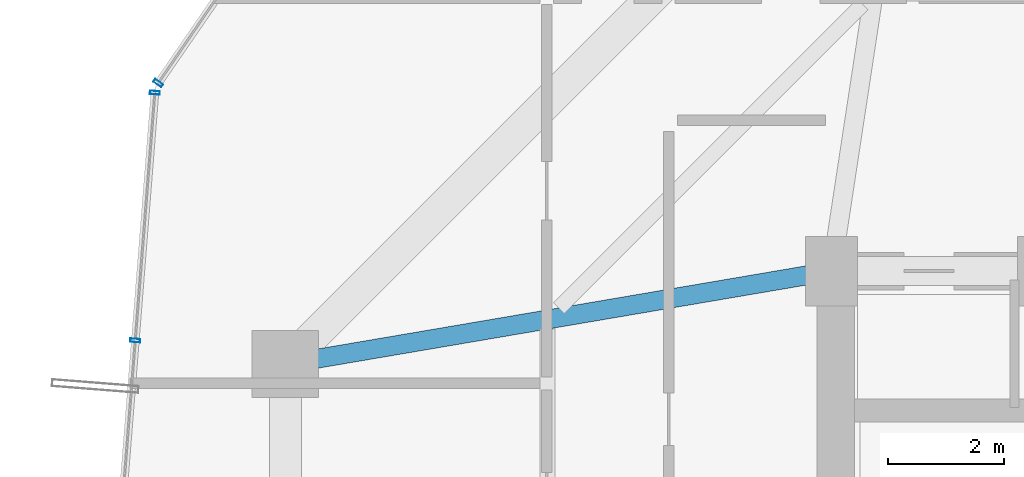
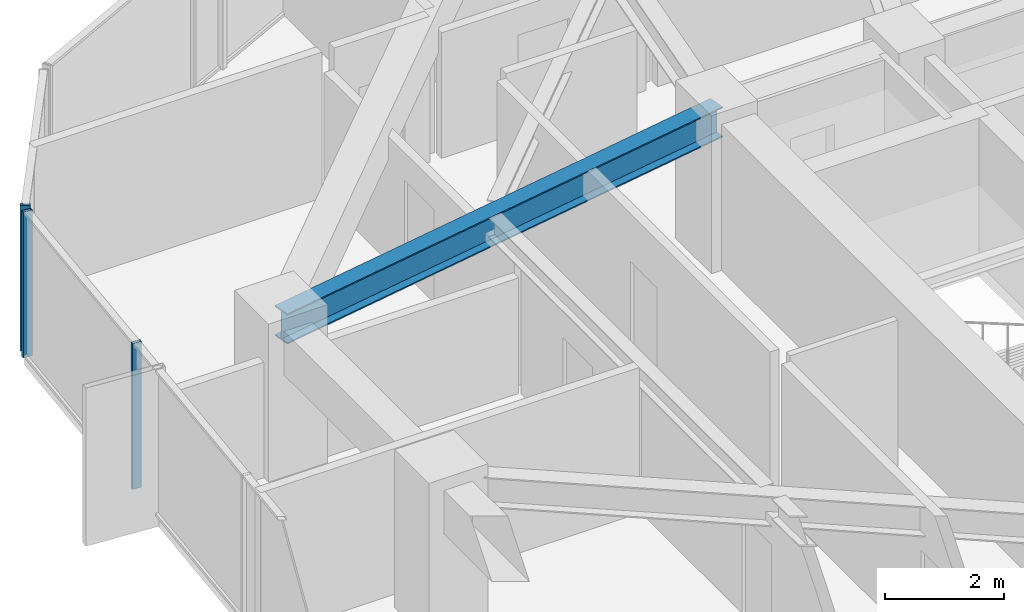
# One storey, part 10 of 30: 3 members, 1 beam, 2 elements without a shape of their own.
"""IFC4 building model written with IfcOpenShell, lengths in metres."""

import ifcopenshell
import ifcopenshell.guid

model = None  # the IFC model being written
_history = None  # IfcOwnerHistory: only IFC2X3 demands one
_inside = {}  # id of a spatial element -> (the spatial element, [elements in it])
_under = {}  # id of a project, library or spatial element -> (it, [spatial elements below it])
_declared = {}  # id of a project -> (the project, [libraries it declares])
_typed = {}  # id of a type object -> (the type object, [elements of that type])
_made_of = {}  # id of a material, layer set ... -> (it, [elements and type objects made of it])


def new_model(schema):
    """Start an empty IFC model of exactly this schema.

    Asked for "IFC4X3", IfcOpenShell would pick the latest addendum, in which some entities
    have other attributes; the version numbers below select the first issue.
    IFC2X3 requires an IfcOwnerHistory on every rooted entity: one is made here for all.
    """
    global model, _history
    if schema == "IFC4X3":
        model = ifcopenshell.file(schema_version=(4, 3, 0, 0))
    else:
        model = ifcopenshell.file(schema=schema)
    _inside.clear()
    _under.clear()
    _declared.clear()
    _typed.clear()
    _made_of.clear()
    _history = None
    if model.schema == "IFC2X3":
        org = make("IfcOrganization", Name="unknown")
        user = make(
            "IfcPersonAndOrganization",
            ThePerson=make("IfcPerson", FamilyName="unknown"),
            TheOrganization=org,
        )
        app = make(
            "IfcApplication",
            ApplicationDeveloper=org,
            Version="unknown",
            ApplicationFullName="unknown",
            ApplicationIdentifier="unknown",
        )
        _history = make(
            "IfcOwnerHistory",
            OwningUser=user,
            OwningApplication=app,
            ChangeAction="ADDED",
            CreationDate=0,
        )
    return model


def make(cls, **values):
    """One entity of the class cls with the attributes given. An attribute that is None is left unset."""
    return model.create_entity(
        cls, **{name: value for name, value in values.items() if value is not None}
    )


def rooted(cls, **values):
    """An entity with a GlobalId (a new one), such as an element, a storey or a relation."""
    return make(cls, GlobalId=ifcopenshell.guid.new(), OwnerHistory=_history, **values)


def si_unit(unit_type, name, prefix=None):
    """IfcSIUnit, for example si_unit("LENGTHUNIT", "METRE", prefix="MILLI")."""
    return make("IfcSIUnit", UnitType=unit_type, Prefix=prefix, Name=name)


def assignment(units):
    """IfcUnitAssignment: the units of a project."""
    return None if units is None else make("IfcUnitAssignment", Units=units)


def point(xyz):
    """IfcCartesianPoint."""
    return None if xyz is None else make("IfcCartesianPoint", Coordinates=xyz)


def direction(xyz):
    """IfcDirection."""
    return None if xyz is None else make("IfcDirection", DirectionRatios=xyz)


def frame(location, z_axis=None, x_axis=None):
    """IfcAxis2Placement3D, a coordinate frame: its origin and axes. An axis left out is left unset."""
    return make(
        "IfcAxis2Placement3D",
        Location=point(location),
        Axis=direction(z_axis),
        RefDirection=direction(x_axis),
    )


def frame_2d(location, x_axis=None):
    """IfcAxis2Placement2D, a coordinate frame in the plane: its origin and x axis."""
    return make(
        "IfcAxis2Placement2D", Location=point(location), RefDirection=direction(x_axis)
    )


def origin():
    """The frame at (0, 0, 0) with its axes left unset."""
    return frame((0.0, 0.0, 0.0))


def origin_2d():
    """The frame at (0, 0) in the plane with its x axis left unset."""
    return frame_2d((0.0, 0.0))


def place(relative_to, where):
    """IfcLocalPlacement: puts the frame where relative to a parent placement (None: the world)."""
    return make(
        "IfcLocalPlacement", PlacementRelTo=relative_to, RelativePlacement=where
    )


def context(
    kind, dimensions, precision=None, world=None, true_north=None, identifier=None
):
    """IfcGeometricRepresentationContext, for example the 3D "Model" context."""
    return make(
        "IfcGeometricRepresentationContext",
        ContextIdentifier=identifier,
        ContextType=kind,
        CoordinateSpaceDimension=dimensions,
        Precision=precision,
        WorldCoordinateSystem=world,
        TrueNorth=true_north,
    )


def subcontext(parent, identifier, kind, view, scale=None):
    """IfcGeometricRepresentationSubContext, for example "Body" below "Model"."""
    return make(
        "IfcGeometricRepresentationSubContext",
        ContextIdentifier=identifier,
        ContextType=kind,
        ParentContext=parent,
        TargetScale=scale,
        TargetView=view,
    )


def project(units=None, contexts=None):
    """IfcProject with its units and contexts."""
    return rooted(
        "IfcProject",
        Name="project",
        RepresentationContexts=contexts,
        UnitsInContext=assignment(units),
    )


def spatial(cls, under=None, at=None, **own):
    """A site, building, storey or space (cls), placed at a placement, below another one or the project."""
    s = rooted(cls, ObjectPlacement=at, **own)
    if under is not None:
        _under.setdefault(under.id(), (under, []))[1].append(s)
    return s


def profile(cls, at=None, kind="AREA", **sizes):
    """A parametric profile (cls). Its sizes go by their IFC names, for example OverallWidth=200.0."""
    return make(cls, ProfileType=kind, Position=at, **sizes)


def hollow_rectangle(**sizes):
    """IfcRectangleHollowProfileDef."""
    return profile("IfcRectangleHollowProfileDef", **sizes)


def i_section(**sizes):
    """IfcIShapeProfileDef."""
    return profile("IfcIShapeProfileDef", **sizes)


def extrude(swept, where, along, depth):
    """IfcExtrudedAreaSolid: the profile swept, set in the frame where, extruded along a direction by depth."""
    return make(
        "IfcExtrudedAreaSolid",
        SweptArea=swept,
        Position=where,
        ExtrudedDirection=direction(along),
        Depth=depth,
    )


def shape(context_of_items, identifier, shape_type, items):
    """IfcShapeRepresentation: the items that make up one representation, for example the "Body"."""
    return make(
        "IfcShapeRepresentation",
        ContextOfItems=context_of_items,
        RepresentationIdentifier=identifier,
        RepresentationType=shape_type,
        Items=items,
    )


def source(mapping_origin, context_of_items, identifier, shape_type, items):
    """IfcRepresentationMap: a shape defined once, which mapped items show again and again."""
    return make(
        "IfcRepresentationMap",
        MappingOrigin=mapping_origin,
        MappedRepresentation=shape(context_of_items, identifier, shape_type, items),
    )


def transform(
    local_origin,
    x_axis=None,
    y_axis=None,
    z_axis=None,
    scale=None,
    scale2=None,
    scale3=None,
    uniform=True,
):
    """IfcCartesianTransformationOperator3D, or its non-uniform kind. x_axis, y_axis, z_axis: its Axis1, 2, 3."""
    if uniform:
        return make(
            "IfcCartesianTransformationOperator3D",
            Axis1=direction(x_axis),
            Axis2=direction(y_axis),
            LocalOrigin=point(local_origin),
            Scale=scale,
            Axis3=direction(z_axis),
        )
    return make(
        "IfcCartesianTransformationOperator3DnonUniform",
        Axis1=direction(x_axis),
        Axis2=direction(y_axis),
        LocalOrigin=point(local_origin),
        Scale=scale,
        Axis3=direction(z_axis),
        Scale2=scale2,
        Scale3=scale3,
    )


def mapped(mapping_source, mapping_target):
    """IfcMappedItem: shows the shape of a source again, moved by a transform."""
    return make(
        "IfcMappedItem", MappingSource=mapping_source, MappingTarget=mapping_target
    )


def material(Name=None, Category=None):
    """IfcMaterial."""
    return make("IfcMaterial", Name=Name, Category=Category)


def layer(
    of_material, thickness, ventilated=None, Name=None, Category=None, Priority=None
):
    """IfcMaterialLayer: one layer of a wall or slab, of a material (None: an air gap)."""
    return make(
        "IfcMaterialLayer",
        Material=of_material,
        LayerThickness=thickness,
        IsVentilated=ventilated,
        Name=Name,
        Category=Category,
        Priority=Priority,
    )


def layer_set(layers, Name=None):
    """IfcMaterialLayerSet."""
    return make("IfcMaterialLayerSet", MaterialLayers=layers, LayerSetName=Name)


def material_profile(
    of_material, cross_section, Name=None, Category=None, Priority=None
):
    """IfcMaterialProfile: a cross section and its material."""
    return make(
        "IfcMaterialProfile",
        Name=Name,
        Material=of_material,
        Profile=cross_section,
        Priority=Priority,
        Category=Category,
    )


def profile_set(profiles, Name=None, composite=None):
    """IfcMaterialProfileSet."""
    return make(
        "IfcMaterialProfileSet",
        Name=Name,
        MaterialProfiles=profiles,
        CompositeProfile=composite,
    )


def made_of(thing, what):
    """Note that an element or type object is made of a material, layer set ...; save() writes the relation."""
    if what is not None:
        _made_of.setdefault(what.id(), (what, []))[1].append(thing)
    return thing


def type_object(cls, material=None, **own):
    """A type object (cls), such as IfcWallType, which elements share."""
    return made_of(rooted(cls, **own), material)


def element(
    cls,
    number,
    at=None,
    inside=None,
    cuts=None,
    type_object=None,
    material=None,
    context=None,
    identifier="Body",
    shape_type=None,
    held_by="IfcProductDefinitionShape",
    body=None,
    shapes=None,
    **own,
):
    """One element of the class cls, such as IfcWall. Its Tag is "e" and its number.

    at: its placement. inside: the storey or other place that contains it. cuts: it is an
    opening in that element (IfcRelVoidsElement). A single representation is given by context,
    identifier, shape_type and body (its items); several are given by shapes. held_by: the class
    of the entity that holds the representations. save() writes the other relations.
    """
    e = rooted(cls, Tag="e%d" % number, ObjectPlacement=at, **own)
    if body is not None:
        shapes = [shape(context, identifier, shape_type, body)]
    if shapes is not None:
        e.Representation = make(held_by, Representations=shapes)
    if inside is not None:
        _inside.setdefault(inside.id(), (inside, []))[1].append(e)
    if cuts is not None:
        rooted(
            "IfcRelVoidsElement", RelatingBuildingElement=cuts, RelatedOpeningElement=e
        )
    if type_object is not None:
        _typed.setdefault(type_object.id(), (type_object, []))[1].append(e)
    return made_of(e, material)


def aggregate(whole, parts):
    """IfcRelAggregates: a whole, such as a stair, and the parts it consists of."""
    return rooted("IfcRelAggregates", RelatingObject=whole, RelatedObjects=parts)


def save(model, path):
    """Write the relations noted so far, then the file.

    IfcRelAggregates (storeys below a building ...), IfcRelContainedInSpatialStructure (elements
    in a storey), IfcRelDefinesByType, IfcRelAssociatesMaterial and IfcRelDeclares: one each for
    every whole, place, type object, material and project.
    """
    for whole, parts in _under.values():
        aggregate(whole, parts)
    for where, things in _inside.values():
        rooted(
            "IfcRelContainedInSpatialStructure",
            RelatedElements=things,
            RelatingStructure=where,
        )
    for kind, things in _typed.values():
        rooted("IfcRelDefinesByType", RelatedObjects=things, RelatingType=kind)
    for what, things in _made_of.values():
        rooted("IfcRelAssociatesMaterial", RelatedObjects=things, RelatingMaterial=what)
    for by, libraries in _declared.values():
        rooted("IfcRelDeclares", RelatingContext=by, RelatedDefinitions=libraries)
    model.write(path)


model = new_model("IFC4")

# Units and contexts
model_context = context("Model", 3, precision=1e-05, world=origin(), true_north=direction((0.0, 1.0)))
body_context = subcontext(model_context, "Body", "Model", "MODEL_VIEW")
ifc_project = project(units=[si_unit("LENGTHUNIT", "METRE"), si_unit("AREAUNIT", "SQUARE_METRE"), si_unit("VOLUMEUNIT", "CUBIC_METRE"), si_unit("PLANEANGLEUNIT", "RADIAN"), si_unit("MASSUNIT", "GRAM", prefix="KILO")], contexts=[model_context])

# Site, building, storey
site_placement = place(None, origin())
site = spatial("IfcSite", under=ifc_project, at=site_placement, CompositionType="ELEMENT")
building_placement = place(site_placement, origin())
building = spatial("IfcBuilding", under=site, at=building_placement, Name="Veraguas Prism Commons", CompositionType="ELEMENT")
storey_placement = place(building_placement, frame((0.0, 0.0, 113.25)))
storey = spatial("IfcBuildingStorey", under=building, at=storey_placement, Name="L31", CompositionType="ELEMENT", Elevation=113.25)

# Beam
ifc_material_1 = material(Name="Steel ASTM A992 Grade 50", Category="steel")
ifc_material_profile_1 = material_profile(ifc_material_1, i_section(OverallWidth=0.327880859375, OverallDepth=0.6220703125, WebThickness=0.015380859375, FlangeThickness=0.0244140625, at=origin_2d()), Name="W610X195")
ifc_profile_set_1 = profile_set([ifc_material_profile_1], Name="Steel ASTM A992 Grade 50")
beam_type = type_object("IfcBeamType", Name="Zone 2 Radial Girder W610x195", PredefinedType="BEAM", material=ifc_profile_set_1)
beam_placement = place(storey_placement, frame((7.800048828125, 29.39990234375, 2.68896484375), z_axis=(0.985819187151, 0.1678109956, 0.0), x_axis=(-0.1678109956, 0.985819187151, 0.0)))
element("IfcBeam", 1, at=beam_placement, inside=storey, type_object=beam_type, Name="Radial Floor Girder L31-RD07", PredefinedType="BEAM", context=body_context, shape_type="SweptSolid", body=[
    extrude(i_section(OverallWidth=0.327880859375, OverallDepth=0.6220703125, WebThickness=0.015380859375, FlangeThickness=0.0244140625, at=origin_2d()), origin(), (0.0, 0.0, 1.0), 9.53515625),
])

# Curtain wall, members
ifc_material_2 = material(Name="Anodised aluminium EN AW-6063 T6", Category="aluminium")
ifc_layer = layer(ifc_material_2, 0.169921875, Name="Unitised Flush Curtain Wall Zone 2", Category="aluminium")
ifc_layer_set = layer_set([ifc_layer], Name="Anodised aluminium EN AW-6063 T6")
curtain_wall_type = type_object("IfcCurtainWallType", Name="Unitised Flush Curtain Wall Zone 2", PredefinedType="NOTDEFINED", material=ifc_layer_set)
curtain_wall_1_placement = place(storey_placement, origin())
curtain_wall_1 = element("IfcCurtainWall", 2, at=curtain_wall_1_placement, inside=storey, type_object=curtain_wall_type, Name="Tower Facade Curtain Wall L31-F3", PredefinedType="NOTDEFINED")
ifc_material_profile_2 = material_profile(ifc_material_2, hollow_rectangle(XDim=0.06005859375, YDim=0.169921875, WallThickness=0.00390625, at=origin_2d()), Name="AL60X170X4")
ifc_profile_set_2 = profile_set([ifc_material_profile_2], Name="Anodised aluminium EN AW-6063 T6")
member_type = type_object("IfcMemberType", Name="Curtain Wall Mullion Lower AL 60x170x4", PredefinedType="MULLION", material=ifc_profile_set_2)
shared_shape = source(origin(), body_context, "Body", "SweptSolid", [
    extrude(hollow_rectangle(XDim=0.06005859375, YDim=0.169921875, WallThickness=0.00390625, at=origin_2d()), origin(), (0.0, 0.0, 1.0), 3.0),
])
member_1_placement = place(storey_placement, frame((5.553955078125, 34.072265625, 0.0), z_axis=(0.0, 0.0, 1.0), x_axis=(-0.078807080738, -0.996889885607, 0.0)))
member_1 = element("IfcMember", 3, at=member_1_placement, type_object=member_type, Name="CW-Z2 Mullion 1", PredefinedType="MULLION", context=body_context, shape_type="MappedRepresentation", body=[
    mapped(shared_shape, transform((0.0, 0.0, 0.0), scale=1.0)),
])
member_2_placement = place(storey_placement, frame((5.216796875, 29.806884765625, 0.0), z_axis=(0.0, 0.0, 1.0), x_axis=(-0.078807080738, -0.996889885607, 0.0)))
member_2 = element("IfcMember", 4, at=member_2_placement, type_object=member_type, Name="CW-Z2 Mullion 2", PredefinedType="MULLION", context=body_context, shape_type="MappedRepresentation", body=[
    mapped(shared_shape, transform((0.0, 0.0, 0.0), scale=1.0)),
])
aggregate(curtain_wall_1, [member_1, member_2])

# Curtain wall, member
curtain_wall_2_placement = place(storey_placement, origin())
curtain_wall_2 = element("IfcCurtainWall", 5, at=curtain_wall_2_placement, inside=storey, type_object=curtain_wall_type, Name="Chamfer Curtain Wall L31-C3", PredefinedType="NOTDEFINED")
member_3_placement = place(storey_placement, frame((5.612060546875, 34.236083984375, 0.0), z_axis=(0.0, 0.0, 1.0), x_axis=(-0.566692438693, -0.823929414409, 0.0)))
member_3 = element("IfcMember", 6, at=member_3_placement, type_object=member_type, Name="CW-Z2 Mullion 2", PredefinedType="MULLION", context=body_context, shape_type="MappedRepresentation", body=[
    mapped(shared_shape, transform((0.0, 0.0, 0.0), scale=1.0)),
])
aggregate(curtain_wall_2, [member_3])

save(model, "model.ifc")
